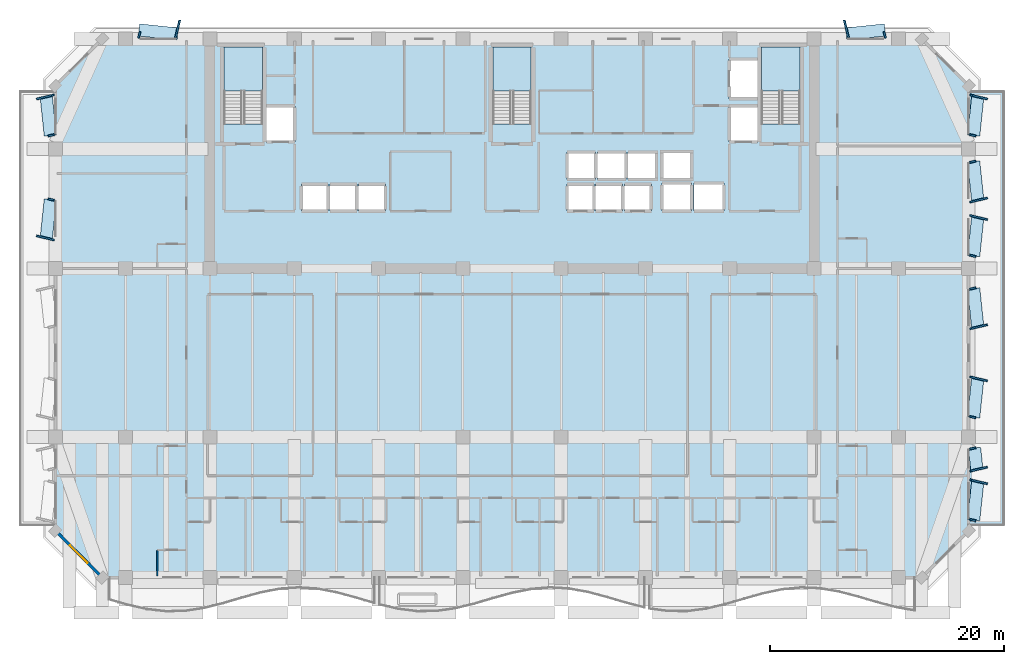
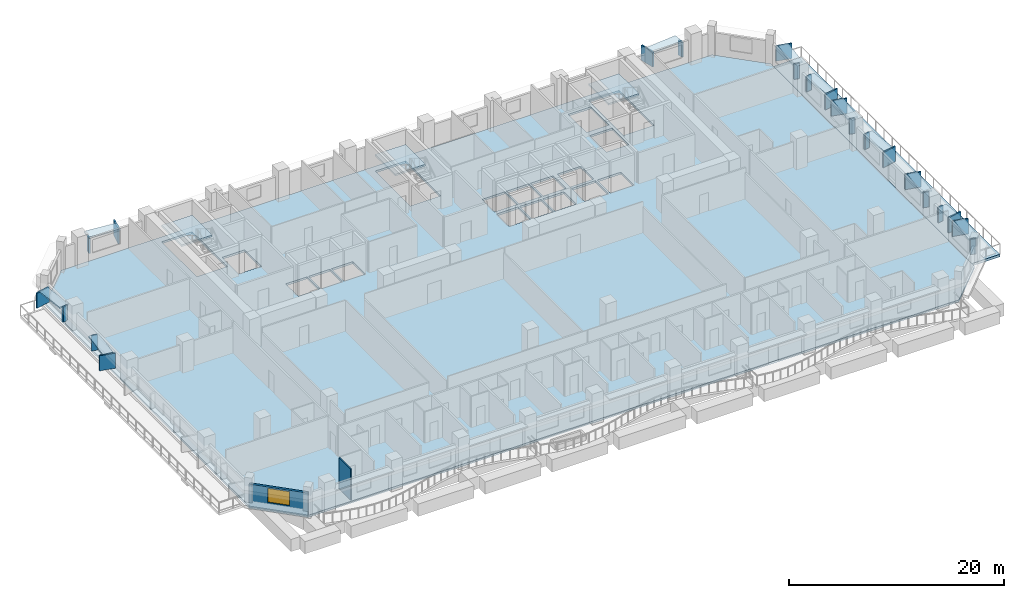
# One storey, part 3 of 16: 33 plates, 5 slabs, 2 walls, 1 window, 1 opening, 3 elements without a shape of their own.
"""IFC4 building model written with IfcOpenShell, lengths in metres."""

from ifc_helpers import new_model, si_unit, direction, frame, frame_2d, origin, origin_2d, place, context, subcontext, project, spatial, polyline, rectangle, outline, extrude, material, layer, layer_set, type_object, element, fill, aggregate, save


model = new_model("IFC4")

# Units and contexts
model_context = context("Model", 3, precision=1e-05, world=origin(), true_north=direction((0.0, 1.0)))
body_context = subcontext(model_context, "Body", "Model", "MODEL_VIEW")
ifc_project = project(units=[si_unit("LENGTHUNIT", "METRE"), si_unit("AREAUNIT", "SQUARE_METRE"), si_unit("VOLUMEUNIT", "CUBIC_METRE"), si_unit("PLANEANGLEUNIT", "RADIAN"), si_unit("MASSUNIT", "GRAM", prefix="KILO")], contexts=[model_context])

# Site, building, storey
site_placement = place(None, origin())
site = spatial("IfcSite", under=ifc_project, at=site_placement, CompositionType="ELEMENT")
building_placement = place(site_placement, origin())
building = spatial("IfcBuilding", under=site, at=building_placement, Name="Kaelvorn Grand Hotel", CompositionType="ELEMENT")
storey_placement = place(building_placement, frame((0.0, 0.0, 135.35009765625)))
storey = spatial("IfcBuildingStorey", under=building, at=storey_placement, Name="L32", CompositionType="ELEMENT", Elevation=135.35009765625)

# Plates
ifc_material_1 = material(Name="Precast concrete C45/55", Category="concrete")
ifc_layer_1 = layer(ifc_material_1, 0.159912109375)
ifc_layer_set_1 = layer_set([ifc_layer_1], Name="Precast concrete C45/55")
plate_type_1 = type_object("IfcPlateType", Name="PL-FRAME-DEEP-1550", PredefinedType="USERDEFINED", material=ifc_layer_set_1)
for number, where, z_axis, x_axis, name in (
    (1, (81.85498046875, 11.18994140625, 0.73974609375), (0.0, 0.0, 1.0), (0.233445363856, 0.972369920398, 0.0), "L32 Tilted Precast Window Frame Fin R-E01"),
    (2, (81.85498046875, 12.260009765625, 0.68994140625), (0.0, 0.0, 1.0), (-0.233445363856, 0.972369920398, 0.0), "L32 Tilted Precast Window Frame Fin L-E02"),
    (3, (81.85498046875, 19.97998046875, 0.73974609375), (0.0, 0.0, 1.0), (0.233445363856, 0.972369920398, 0.0), "L32 Tilted Precast Window Frame Fin R-E03"),
    (4, (81.85498046875, 24.419921875, 0.73974609375), (0.0, 0.0, 1.0), (-0.233445363856, 0.972369920398, 0.0), "L32 Tilted Precast Window Frame Fin L-E04"),
    (5, (81.85498046875, 33.7548828125, 0.73974609375), (0.0, 0.0, 1.0), (0.233445363856, 0.972369920398, 0.0), "L32 Tilted Precast Window Frame Fin R-E05"),
    (6, (81.85498046875, 35.2451171875, 0.73974609375), (0.0, 0.0, 1.0), (-0.233445363856, 0.972369920398, 0.0), "L32 Tilted Precast Window Frame Fin L-E06"),
    (7, (81.85498046875, 44.054931640625, 0.73974609375), (0.0, 0.0, 1.0), (0.233445363856, 0.972369920398, 0.0), "L32 Tilted Precast Window Frame Fin R-E07"),
    (8, (2.14501953125, 32.010009765625, 0.73974609375), (0.0, 0.0, 1.0), (0.233445363856, 0.972369920398, 0.0), "L32 Tilted Precast Window Frame Fin L-W05"),
    (9, (2.14501953125, 44.054931640625, 0.73974609375), (0.0, 0.0, 1.0), (-0.233445363856, 0.972369920398, 0.0), "L32 Tilted Precast Window Frame Fin R-W06"),
    (10, (13.43994140625, 49.85498046875, 0.73974609375), (0.0, 0.0, 1.0), (0.972369920398, -0.233445363856, 0.0), "L32 Tilted Precast Window Frame Fin R-N01"),
    (11, (70.56005859375, 49.85498046875, 0.73974609375), (0.0, 0.0, 1.0), (0.972369920398, 0.233445363856, 0.0), "L32 Tilted Precast Window Frame Fin L-N02"),
):
    element("IfcPlate", number, at=place(storey_placement, frame(where, z_axis=z_axis, x_axis=x_axis)), inside=storey, type_object=plate_type_1, Name=name, ObjectType="FLANGE_PLATE", PredefinedType="USERDEFINED", context=body_context, shape_type="SweptSolid", body=[
        extrude(rectangle(XDim=0.159912109375, YDim=1.550048828125, at=origin_2d()), origin(), (0.0, 0.0, 1.0), 1.719970703125),
    ])
ifc_layer_2 = layer(ifc_material_1, 0.159912109375)
ifc_layer_set_2 = layer_set([ifc_layer_2], Name="Precast concrete C45/55")
plate_type_2 = type_object("IfcPlateType", Name="PL-FRAME-HEAD-1050", PredefinedType="USERDEFINED", material=ifc_layer_set_2)
plate_1_placement = place(storey_placement, frame((81.60498046875, 9.550048828125, 2.35009765625), z_axis=(0.0, 0.0, 1.0), x_axis=(0.105830199459, 0.994384215926, 0.0)))
element("IfcPlate", 12, at=plate_1_placement, inside=storey, type_object=plate_type_2, Name="L32 Precast Window Frame Head Hood H-E01", ObjectType="FLANGE_PLATE", PredefinedType="USERDEFINED", context=body_context, shape_type="SweptSolid", body=[
    extrude(rectangle(XDim=3.320068359375, YDim=1.050048828125, at=origin_2d()), origin(), (0.0, 0.0, 1.0), 0.159912109375),
])
plate_2_placement = place(storey_placement, frame((81.60498046875, 13.14990234375, 2.25), z_axis=(0.0, 0.0, 1.0), x_axis=(-0.105830199459, 0.994384215926, 0.0)))
element("IfcPlate", 13, at=plate_2_placement, inside=storey, type_object=plate_type_2, Name="L32 Precast Window Frame Head Hood H-E02", ObjectType="FLANGE_PLATE", PredefinedType="USERDEFINED", context=body_context, shape_type="SweptSolid", body=[
    extrude(rectangle(XDim=1.860107421875, YDim=1.050048828125, at=origin_2d()), origin(), (0.0, 0.0, 1.0), 0.159912109375),
])
for number, where, z_axis, x_axis, name in (
    (14, (81.60498046875, 18.340087890625, 2.35009765625), (0.0, 0.0, 1.0), (0.105830199459, 0.994384215926, 0.0), "L32 Precast Window Frame Head Hood H-E03"),
    (15, (81.60498046875, 26.06005859375, 2.35009765625), (0.0, 0.0, 1.0), (-0.105830199459, 0.994384215926, 0.0), "L32 Precast Window Frame Head Hood H-E04"),
    (16, (81.60498046875, 32.114990234375, 2.35009765625), (0.0, 0.0, 1.0), (0.105830199459, 0.994384215926, 0.0), "L32 Precast Window Frame Head Hood H-E05"),
    (17, (81.60498046875, 36.885009765625, 2.35009765625), (0.0, 0.0, 1.0), (-0.105830199459, 0.994384215926, 0.0), "L32 Precast Window Frame Head Hood H-E06"),
    (18, (81.60498046875, 42.4150390625, 2.35009765625), (0.0, 0.0, 1.0), (0.105830199459, 0.994384215926, 0.0), "L32 Precast Window Frame Head Hood H-E07"),
    (19, (2.39501953125, 33.64990234375, 2.35009765625), (0.0, 0.0, 1.0), (0.105830199459, 0.994384215926, 0.0), "L32 Precast Window Frame Head Hood H-W05"),
    (20, (2.39501953125, 42.4150390625, 2.35009765625), (0.0, 0.0, 1.0), (-0.105830199459, 0.994384215926, 0.0), "L32 Precast Window Frame Head Hood H-W06"),
    (21, (11.800048828125, 49.60498046875, 2.35009765625), (0.0, 0.0, 1.0), (0.994384215926, -0.105830199459, 0.0), "L32 Precast Window Frame Head Hood H-N01"),
    (22, (72.199951171875, 49.60498046875, 2.35009765625), (0.0, 0.0, 1.0), (0.994384215926, 0.105830199459, 0.0), "L32 Precast Window Frame Head Hood H-N02"),
):
    element("IfcPlate", number, at=place(storey_placement, frame(where, z_axis=z_axis, x_axis=x_axis)), inside=storey, type_object=plate_type_2, Name=name, ObjectType="FLANGE_PLATE", PredefinedType="USERDEFINED", context=body_context, shape_type="SweptSolid", body=[
        extrude(rectangle(XDim=3.320068359375, YDim=1.050048828125, at=origin_2d()), origin(), (0.0, 0.0, 1.0), 0.159912109375),
    ])
ifc_layer_3 = layer(ifc_material_1, 0.159912109375)
ifc_layer_set_3 = layer_set([ifc_layer_3], Name="Precast concrete C45/55")
plate_type_3 = type_object("IfcPlateType", Name="PL-FRAME-SHAL-550", PredefinedType="USERDEFINED", material=ifc_layer_set_3)
for number, where, z_axis, x_axis, name in (
    (23, (81.35498046875, 7.909912109375, 0.73974609375), (0.0, 0.0, 1.0), (0.233445363856, 0.972369920398, 0.0), "L32 Tilted Precast Window Frame Fin L-E01"),
    (24, (81.35498046875, 14.0400390625, 0.68994140625), (0.0, 0.0, 1.0), (-0.233445363856, 0.972369920398, 0.0), "L32 Tilted Precast Window Frame Fin R-E02"),
    (25, (81.35498046875, 16.699951171875, 0.73974609375), (0.0, 0.0, 1.0), (0.233445363856, 0.972369920398, 0.0), "L32 Tilted Precast Window Frame Fin L-E03"),
    (26, (81.35498046875, 27.699951171875, 0.73974609375), (0.0, 0.0, 1.0), (-0.233445363856, 0.972369920398, 0.0), "L32 Tilted Precast Window Frame Fin R-E04"),
    (27, (81.35498046875, 30.47509765625, 0.73974609375), (0.0, 0.0, 1.0), (0.233445363856, 0.972369920398, 0.0), "L32 Tilted Precast Window Frame Fin L-E05"),
    (28, (81.35498046875, 38.52490234375, 0.73974609375), (0.0, 0.0, 1.0), (-0.233445363856, 0.972369920398, 0.0), "L32 Tilted Precast Window Frame Fin R-E06"),
    (29, (81.35498046875, 40.77490234375, 0.73974609375), (0.0, 0.0, 1.0), (0.233445363856, 0.972369920398, 0.0), "L32 Tilted Precast Window Frame Fin L-E07"),
    (30, (2.64501953125, 35.2900390625, 0.73974609375), (0.0, 0.0, 1.0), (0.233445363856, 0.972369920398, 0.0), "L32 Tilted Precast Window Frame Fin R-W05"),
    (31, (2.64501953125, 40.77490234375, 0.73974609375), (0.0, 0.0, 1.0), (-0.233445363856, 0.972369920398, 0.0), "L32 Tilted Precast Window Frame Fin L-W06"),
    (32, (10.159912109375, 49.35498046875, 0.73974609375), (0.0, 0.0, 1.0), (0.972369920398, -0.233445363856, 0.0), "L32 Tilted Precast Window Frame Fin L-N01"),
    (33, (73.840087890625, 49.35498046875, 0.73974609375), (0.0, 0.0, 1.0), (0.972369920398, 0.233445363856, 0.0), "L32 Tilted Precast Window Frame Fin R-N02"),
):
    element("IfcPlate", number, at=place(storey_placement, frame(where, z_axis=z_axis, x_axis=x_axis)), inside=storey, type_object=plate_type_3, Name=name, ObjectType="FLANGE_PLATE", PredefinedType="USERDEFINED", context=body_context, shape_type="SweptSolid", body=[
        extrude(rectangle(XDim=0.159912109375, YDim=0.550048828125, at=origin_2d()), origin(), (0.0, 0.0, 1.0), 1.719970703125),
    ])

# Slab
ifc_material_2 = material(Name="Concrete C40/50", Category="concrete")
ifc_layer_4 = layer(ifc_material_2, 0.239990234375)
ifc_layer_set_4 = layer_set([ifc_layer_4], Name="Concrete C40/50")
slab_type_1 = type_object("IfcSlabType", Name="SLB-FLR-240-C40", PredefinedType="FLOOR", material=ifc_layer_set_4)
slab_1_placement = place(storey_placement, frame((0.0, 0.0, -0.239990234375)))
element("IfcSlab", 34, at=slab_1_placement, inside=storey, type_object=slab_type_1, Name="L32 Indoor Suspended Floor Slab", PredefinedType="FLOOR", context=body_context, shape_type="SweptSolid", body=[
    extrude(outline(polyline([(7.0, 3.0), (77.0, 3.0), (81.0, 7.0), (81.0, 45.0), (77.0, 49.0), (7.0, 49.0), (3.0, 45.0), (3.0, 7.0), (7.0, 3.0)]), holes=[polyline([(17.39990234375, 41.760009765625), (17.39990234375, 48.300048828125), (20.679931640625, 48.300048828125), (20.679931640625, 41.760009765625), (17.39990234375, 41.760009765625)]), polyline([(40.360107421875, 41.760009765625), (40.360107421875, 48.300048828125), (43.639892578125, 48.300048828125), (43.639892578125, 41.760009765625), (40.360107421875, 41.760009765625)]), polyline([(63.320068359375, 41.760009765625), (63.320068359375, 48.300048828125), (66.60009765625, 48.300048828125), (66.60009765625, 41.760009765625), (63.320068359375, 41.760009765625)]), polyline([(24.0, 34.300048828125), (24.0, 36.60009765625), (26.300048828125, 36.60009765625), (26.300048828125, 34.300048828125), (24.0, 34.300048828125)]), polyline([(26.449951171875, 34.300048828125), (26.449951171875, 36.60009765625), (28.75, 36.60009765625), (28.75, 34.300048828125), (26.449951171875, 34.300048828125)]), polyline([(28.89990234375, 34.300048828125), (28.89990234375, 36.60009765625), (31.199951171875, 36.60009765625), (31.199951171875, 34.300048828125), (28.89990234375, 34.300048828125)]), polyline([(46.699951171875, 34.300048828125), (46.699951171875, 36.60009765625), (49.0, 36.60009765625), (49.0, 34.300048828125), (46.699951171875, 34.300048828125)]), polyline([(49.14990234375, 34.300048828125), (49.14990234375, 36.60009765625), (51.449951171875, 36.60009765625), (51.449951171875, 34.300048828125), (49.14990234375, 34.300048828125)]), polyline([(51.60009765625, 34.300048828125), (51.60009765625, 36.60009765625), (53.89990234375, 36.60009765625), (53.89990234375, 34.300048828125), (51.60009765625, 34.300048828125)]), polyline([(46.699951171875, 37.0), (46.699951171875, 39.35009765625), (49.14990234375, 39.35009765625), (49.14990234375, 37.0), (46.699951171875, 37.0)]), polyline([(49.300048828125, 37.0), (49.300048828125, 39.35009765625), (51.75, 39.35009765625), (51.75, 37.0), (49.300048828125, 37.0)]), polyline([(51.89990234375, 37.0), (51.89990234375, 39.35009765625), (54.35009765625, 39.35009765625), (54.35009765625, 37.0), (51.89990234375, 37.0)]), polyline([(54.800048828125, 34.300048828125), (54.800048828125, 36.699951171875), (57.35009765625, 36.699951171875), (57.35009765625, 34.300048828125), (54.800048828125, 34.300048828125)]), polyline([(57.550048828125, 34.300048828125), (57.550048828125, 36.699951171875), (60.10009765625, 36.699951171875), (60.10009765625, 34.300048828125), (57.550048828125, 34.300048828125)]), polyline([(54.800048828125, 37.0), (54.800048828125, 39.39990234375), (57.35009765625, 39.39990234375), (57.35009765625, 37.0), (54.800048828125, 37.0)]), polyline([(21.0, 40.199951171875), (21.0, 43.300048828125), (23.449951171875, 43.300048828125), (23.449951171875, 40.199951171875), (21.0, 40.199951171875)]), polyline([(60.550048828125, 40.199951171875), (60.550048828125, 43.300048828125), (63.0, 43.300048828125), (63.0, 40.199951171875), (60.550048828125, 40.199951171875)]), polyline([(60.550048828125, 43.89990234375), (60.550048828125, 47.300048828125), (63.0, 47.300048828125), (63.0, 43.89990234375), (60.550048828125, 43.89990234375)])]), origin(), (0.0, 0.0, 1.0), 0.239990234375),
])

# Stair, slab
stair_type = type_object("IfcStairType", Name="STR-DOG-1560-R08", PredefinedType="HALF_TURN_STAIR", material=ifc_material_2)
stair_1_placement = place(storey_placement, origin())
stair_1 = element("IfcStair", 35, at=stair_1_placement, inside=storey, type_object=stair_type, Name="L32 West Core Exit Stair ST1", PredefinedType="HALF_TURN_STAIR")
ifc_layer_5 = layer(ifc_material_2, 0.199951171875)
ifc_layer_set_5 = layer_set([ifc_layer_5], Name="Concrete C40/50")
slab_type_2 = type_object("IfcSlabType", Name="SLB-LAND-200-C40", PredefinedType="LANDING", material=ifc_layer_set_5)
slab_2_placement = place(storey_placement, frame((0.0, 0.0, 1.699951171875)))
slab_2 = element("IfcSlab", 36, at=slab_2_placement, type_object=slab_type_2, Name="ST1 landing 1", PredefinedType="LANDING", context=body_context, shape_type="SweptSolid", body=[
    extrude(outline(polyline([(20.679931640625, 44.56005859375), (20.679931640625, 48.300048828125), (17.39990234375, 48.300048828125), (17.39990234375, 44.56005859375), (20.679931640625, 44.56005859375)])), origin(), (0.0, 0.0, 1.0), 0.199951171875),
])
aggregate(stair_1, [slab_2])

stair_2_placement = place(storey_placement, origin())
stair_2 = element("IfcStair", 37, at=stair_2_placement, inside=storey, type_object=stair_type, Name="L32 Central Core Exit Stair ST2", PredefinedType="HALF_TURN_STAIR")
slab_3_placement = place(storey_placement, frame((0.0, 0.0, 1.699951171875)))
slab_3 = element("IfcSlab", 38, at=slab_3_placement, type_object=slab_type_2, Name="ST2 landing 1", PredefinedType="LANDING", context=body_context, shape_type="SweptSolid", body=[
    extrude(outline(polyline([(43.639892578125, 44.56005859375), (43.639892578125, 48.300048828125), (40.360107421875, 48.300048828125), (40.360107421875, 44.56005859375), (43.639892578125, 44.56005859375)])), origin(), (0.0, 0.0, 1.0), 0.199951171875),
])
aggregate(stair_2, [slab_3])

stair_3_placement = place(storey_placement, origin())
stair_3 = element("IfcStair", 39, at=stair_3_placement, inside=storey, type_object=stair_type, Name="L32 East Core Exit Stair ST3", PredefinedType="HALF_TURN_STAIR")
slab_4_placement = place(storey_placement, frame((0.0, 0.0, 1.699951171875)))
slab_4 = element("IfcSlab", 40, at=slab_4_placement, type_object=slab_type_2, Name="ST3 landing 1", PredefinedType="LANDING", context=body_context, shape_type="SweptSolid", body=[
    extrude(outline(polyline([(66.60009765625, 44.56005859375), (66.60009765625, 48.300048828125), (63.320068359375, 48.300048828125), (63.320068359375, 44.56005859375), (66.60009765625, 44.56005859375)])), origin(), (0.0, 0.0, 1.0), 0.199951171875),
])
aggregate(stair_3, [slab_4])

# Slab
ifc_layer_6 = layer(ifc_material_2, 0.280029296875)
ifc_layer_set_6 = layer_set([ifc_layer_6], Name="Concrete C40/50")
slab_type_3 = type_object("IfcSlabType", Name="SLB-TERR-280-C40", PredefinedType="ROOF", material=ifc_layer_set_6)
slab_5_placement = place(storey_placement, frame((0.0, 0.0, -0.280029296875)))
element("IfcSlab", 41, at=slab_5_placement, inside=storey, type_object=slab_type_3, Name="L32 Setback Sky Terrace Roof Slab E", PredefinedType="ROOF", context=body_context, shape_type="SweptSolid", body=[
    extrude(outline(polyline([(81.0, 7.5), (84.0, 7.5), (84.0, 44.5), (81.0, 44.5), (81.0, 7.5)])), origin(), (0.0, 0.0, 1.0), 0.280029296875),
])

# Wall, opening, window
ifc_layer_7 = layer(ifc_material_2, 0.239990234375)
ifc_layer_set_7 = layer_set([ifc_layer_7], Name="Concrete C40/50")
wall_type_1 = type_object("IfcWallType", Name="WL-EXT-240-C40", PredefinedType="SOLIDWALL", material=ifc_layer_set_7)
wall_1_placement = place(storey_placement, frame((3.0, 7.0, 0.0), z_axis=(0.0, 0.0, 1.0), x_axis=(0.707106781187, -0.707106781187, 0.0)))
wall_1 = element("IfcWall", 42, at=wall_1_placement, inside=storey, type_object=wall_type_1, Name="L32 Exterior Architectural Concrete Wall 08", PredefinedType="SOLIDWALL", context=body_context, shape_type="SweptSolid", body=[
    extrude(rectangle(XDim=5.65673828125, YDim=0.239990234375, at=frame_2d((2.828369140625, 0.0))), origin(), (0.0, 0.0, 1.0), 2.60986328125),
])
opening_placement = place(wall_1_placement, frame((1.7783203125, 0.0, 0.85009765625)))
opening = element("IfcOpeningElement", 43, at=opening_placement, cuts=wall_1, Name="Opening W7", PredefinedType="OPENING", context=body_context, shape_type="SweptSolid", body=[
    extrude(rectangle(XDim=2.10009765625, YDim=1.60009765625, at=frame_2d((1.050048828125, 0.800048828125))), frame((0.0, 0.1298828125, 0.0), z_axis=(0.0, -1.0, 0.0), x_axis=(1.0, 0.0, 0.0)), (0.0, 0.0, 1.0), 0.260009765625),
])
ifc_material_3 = material(Name="Laminated Low-E Glass", Category="glass")
window_type = type_object("IfcWindowType", Name="WIN-CHM-2100x1600", PartitioningType="SINGLE_PANEL", PredefinedType="WINDOW", material=ifc_material_3)
window_placement = place(opening_placement, origin())
window = element("IfcWindow", 44, at=window_placement, inside=storey, type_object=window_type, Name="L32 Chamfered 45-Degree Corner Window SW", OverallHeight=1.60009765625, OverallWidth=2.10009765625, PartitioningType="SINGLE_PANEL", PredefinedType="WINDOW", context=body_context, shape_type="SweptSolid", body=[
    extrude(rectangle(XDim=2.10009765625, YDim=1.60009765625, at=frame_2d((1.050048828125, 0.800048828125))), frame((0.0, 0.030029296875, 0.0), z_axis=(0.0, -1.0, 0.0), x_axis=(1.0, 0.0, 0.0)), (0.0, 0.0, 1.0), 0.06005859375),
])
fill(opening, window)

# Wall
ifc_material_4 = material(Name="Moisture-Resistant Tile & Stud Board")
ifc_layer_8 = layer(ifc_material_4, 0.125)
ifc_layer_set_8 = layer_set([ifc_layer_8], Name="Moisture-Resistant Tile & Stud Board")
wall_type_2 = type_object("IfcWallType", Name="WL-PART-125-WET", PredefinedType="PARTITIONING", material=ifc_layer_set_8)
wall_2_placement = place(storey_placement, frame((11.699951171875, 3.14990234375, 0.0), z_axis=(0.0, 0.0, 1.0), x_axis=(0.0, 1.0, 0.0)))
element("IfcWall", 45, at=wall_2_placement, inside=storey, type_object=wall_type_2, Name="L32 En-suite Bathroom L32-12 W Partition", PredefinedType="PARTITIONING", context=body_context, shape_type="SweptSolid", body=[
    extrude(rectangle(XDim=2.152587890625, YDim=0.125, at=frame_2d((1.076171875, 0.0))), origin(), (0.0, 0.0, 1.0), 3.559814453125),
])

save(model, "model.ifc")
